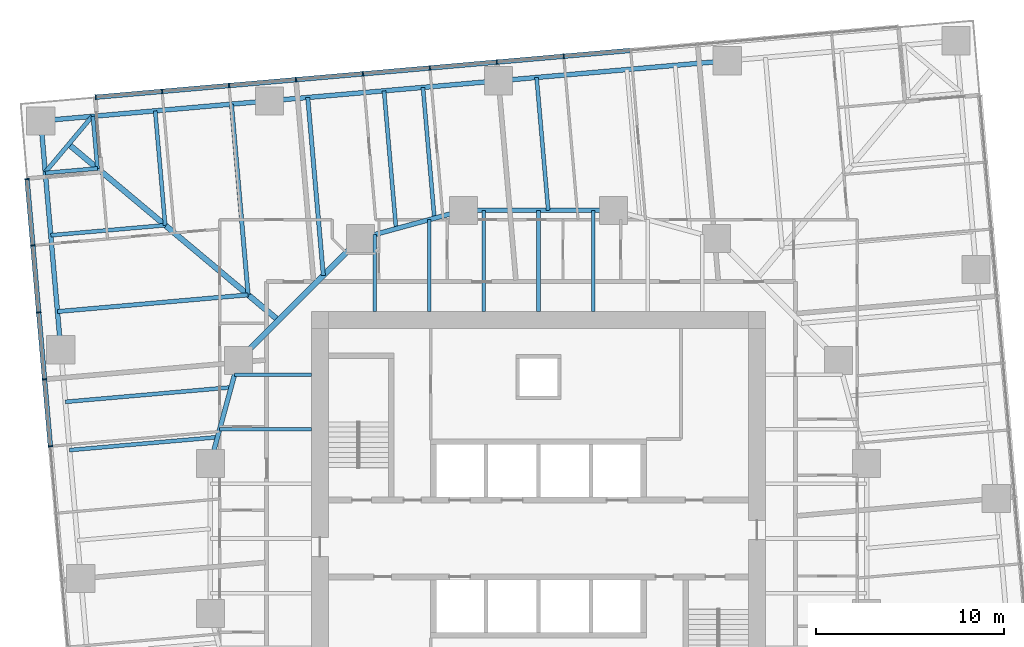
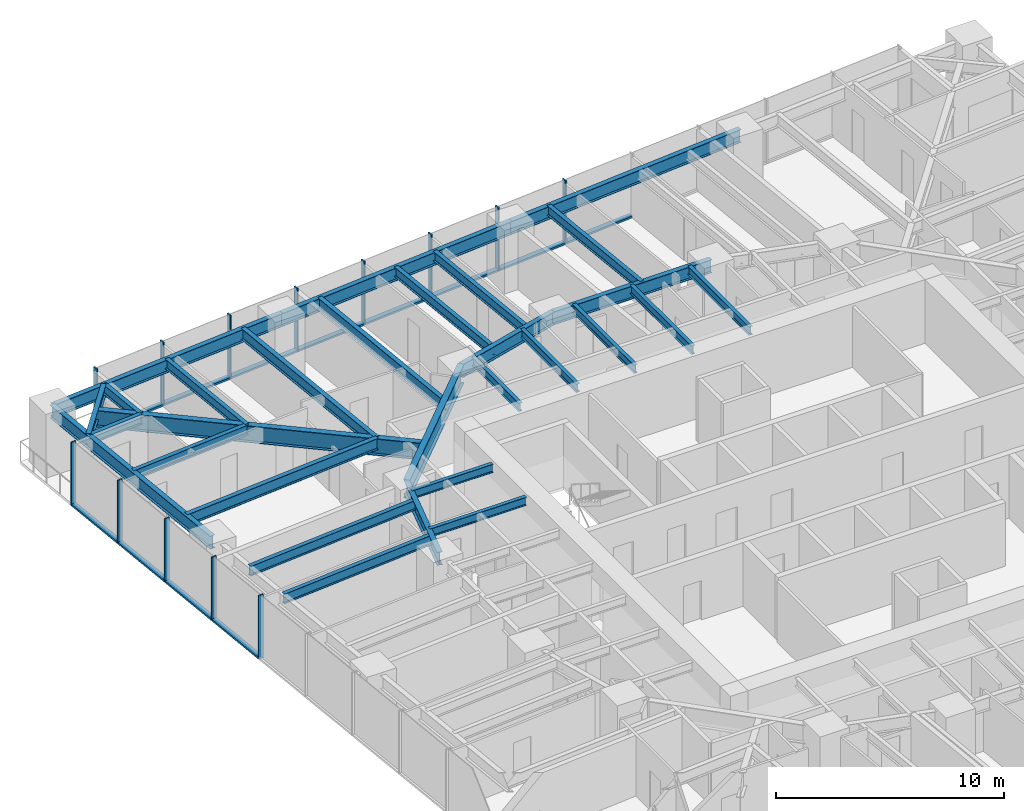
# One storey, part 5 of 14: 29 beams, 25 members, 2 elements without a shape of their own.
"""IFC4 building model written with IfcOpenShell, lengths in metres."""

import ifcopenshell
import ifcopenshell.guid

model = None  # the IFC model being written
_history = None  # IfcOwnerHistory: only IFC2X3 demands one
_inside = {}  # id of a spatial element -> (the spatial element, [elements in it])
_under = {}  # id of a project, library or spatial element -> (it, [spatial elements below it])
_declared = {}  # id of a project -> (the project, [libraries it declares])
_typed = {}  # id of a type object -> (the type object, [elements of that type])
_made_of = {}  # id of a material, layer set ... -> (it, [elements and type objects made of it])


def new_model(schema):
    """Start an empty IFC model of exactly this schema.

    Asked for "IFC4X3", IfcOpenShell would pick the latest addendum, in which some entities
    have other attributes; the version numbers below select the first issue.
    IFC2X3 requires an IfcOwnerHistory on every rooted entity: one is made here for all.
    """
    global model, _history
    if schema == "IFC4X3":
        model = ifcopenshell.file(schema_version=(4, 3, 0, 0))
    else:
        model = ifcopenshell.file(schema=schema)
    _inside.clear()
    _under.clear()
    _declared.clear()
    _typed.clear()
    _made_of.clear()
    _history = None
    if model.schema == "IFC2X3":
        org = make("IfcOrganization", Name="unknown")
        user = make(
            "IfcPersonAndOrganization",
            ThePerson=make("IfcPerson", FamilyName="unknown"),
            TheOrganization=org,
        )
        app = make(
            "IfcApplication",
            ApplicationDeveloper=org,
            Version="unknown",
            ApplicationFullName="unknown",
            ApplicationIdentifier="unknown",
        )
        _history = make(
            "IfcOwnerHistory",
            OwningUser=user,
            OwningApplication=app,
            ChangeAction="ADDED",
            CreationDate=0,
        )
    return model


def make(cls, **values):
    """One entity of the class cls with the attributes given. An attribute that is None is left unset."""
    return model.create_entity(
        cls, **{name: value for name, value in values.items() if value is not None}
    )


def rooted(cls, **values):
    """An entity with a GlobalId (a new one), such as an element, a storey or a relation."""
    return make(cls, GlobalId=ifcopenshell.guid.new(), OwnerHistory=_history, **values)


def si_unit(unit_type, name, prefix=None):
    """IfcSIUnit, for example si_unit("LENGTHUNIT", "METRE", prefix="MILLI")."""
    return make("IfcSIUnit", UnitType=unit_type, Prefix=prefix, Name=name)


def assignment(units):
    """IfcUnitAssignment: the units of a project."""
    return None if units is None else make("IfcUnitAssignment", Units=units)


def point(xyz):
    """IfcCartesianPoint."""
    return None if xyz is None else make("IfcCartesianPoint", Coordinates=xyz)


def direction(xyz):
    """IfcDirection."""
    return None if xyz is None else make("IfcDirection", DirectionRatios=xyz)


def frame(location, z_axis=None, x_axis=None):
    """IfcAxis2Placement3D, a coordinate frame: its origin and axes. An axis left out is left unset."""
    return make(
        "IfcAxis2Placement3D",
        Location=point(location),
        Axis=direction(z_axis),
        RefDirection=direction(x_axis),
    )


def frame_2d(location, x_axis=None):
    """IfcAxis2Placement2D, a coordinate frame in the plane: its origin and x axis."""
    return make(
        "IfcAxis2Placement2D", Location=point(location), RefDirection=direction(x_axis)
    )


def origin():
    """The frame at (0, 0, 0) with its axes left unset."""
    return frame((0.0, 0.0, 0.0))


def origin_2d():
    """The frame at (0, 0) in the plane with its x axis left unset."""
    return frame_2d((0.0, 0.0))


def place(relative_to, where):
    """IfcLocalPlacement: puts the frame where relative to a parent placement (None: the world)."""
    return make(
        "IfcLocalPlacement", PlacementRelTo=relative_to, RelativePlacement=where
    )


def context(
    kind, dimensions, precision=None, world=None, true_north=None, identifier=None
):
    """IfcGeometricRepresentationContext, for example the 3D "Model" context."""
    return make(
        "IfcGeometricRepresentationContext",
        ContextIdentifier=identifier,
        ContextType=kind,
        CoordinateSpaceDimension=dimensions,
        Precision=precision,
        WorldCoordinateSystem=world,
        TrueNorth=true_north,
    )


def subcontext(parent, identifier, kind, view, scale=None):
    """IfcGeometricRepresentationSubContext, for example "Body" below "Model"."""
    return make(
        "IfcGeometricRepresentationSubContext",
        ContextIdentifier=identifier,
        ContextType=kind,
        ParentContext=parent,
        TargetScale=scale,
        TargetView=view,
    )


def project(units=None, contexts=None):
    """IfcProject with its units and contexts."""
    return rooted(
        "IfcProject",
        Name="project",
        RepresentationContexts=contexts,
        UnitsInContext=assignment(units),
    )


def spatial(cls, under=None, at=None, **own):
    """A site, building, storey or space (cls), placed at a placement, below another one or the project."""
    s = rooted(cls, ObjectPlacement=at, **own)
    if under is not None:
        _under.setdefault(under.id(), (under, []))[1].append(s)
    return s


def profile(cls, at=None, kind="AREA", **sizes):
    """A parametric profile (cls). Its sizes go by their IFC names, for example OverallWidth=200.0."""
    return make(cls, ProfileType=kind, Position=at, **sizes)


def rectangle(**sizes):
    """IfcRectangleProfileDef."""
    return profile("IfcRectangleProfileDef", **sizes)


def i_section(**sizes):
    """IfcIShapeProfileDef."""
    return profile("IfcIShapeProfileDef", **sizes)


def extrude(swept, where, along, depth):
    """IfcExtrudedAreaSolid: the profile swept, set in the frame where, extruded along a direction by depth."""
    return make(
        "IfcExtrudedAreaSolid",
        SweptArea=swept,
        Position=where,
        ExtrudedDirection=direction(along),
        Depth=depth,
    )


def shape(context_of_items, identifier, shape_type, items):
    """IfcShapeRepresentation: the items that make up one representation, for example the "Body"."""
    return make(
        "IfcShapeRepresentation",
        ContextOfItems=context_of_items,
        RepresentationIdentifier=identifier,
        RepresentationType=shape_type,
        Items=items,
    )


def material(Name=None, Category=None):
    """IfcMaterial."""
    return make("IfcMaterial", Name=Name, Category=Category)


def material_profile(
    of_material, cross_section, Name=None, Category=None, Priority=None
):
    """IfcMaterialProfile: a cross section and its material."""
    return make(
        "IfcMaterialProfile",
        Name=Name,
        Material=of_material,
        Profile=cross_section,
        Priority=Priority,
        Category=Category,
    )


def profile_set(profiles, Name=None, composite=None):
    """IfcMaterialProfileSet."""
    return make(
        "IfcMaterialProfileSet",
        Name=Name,
        MaterialProfiles=profiles,
        CompositeProfile=composite,
    )


def made_of(thing, what):
    """Note that an element or type object is made of a material, layer set ...; save() writes the relation."""
    if what is not None:
        _made_of.setdefault(what.id(), (what, []))[1].append(thing)
    return thing


def type_object(cls, material=None, **own):
    """A type object (cls), such as IfcWallType, which elements share."""
    return made_of(rooted(cls, **own), material)


def element(
    cls,
    number,
    at=None,
    inside=None,
    cuts=None,
    type_object=None,
    material=None,
    context=None,
    identifier="Body",
    shape_type=None,
    held_by="IfcProductDefinitionShape",
    body=None,
    shapes=None,
    **own,
):
    """One element of the class cls, such as IfcWall. Its Tag is "e" and its number.

    at: its placement. inside: the storey or other place that contains it. cuts: it is an
    opening in that element (IfcRelVoidsElement). A single representation is given by context,
    identifier, shape_type and body (its items); several are given by shapes. held_by: the class
    of the entity that holds the representations. save() writes the other relations.
    """
    e = rooted(cls, Tag="e%d" % number, ObjectPlacement=at, **own)
    if body is not None:
        shapes = [shape(context, identifier, shape_type, body)]
    if shapes is not None:
        e.Representation = make(held_by, Representations=shapes)
    if inside is not None:
        _inside.setdefault(inside.id(), (inside, []))[1].append(e)
    if cuts is not None:
        rooted(
            "IfcRelVoidsElement", RelatingBuildingElement=cuts, RelatedOpeningElement=e
        )
    if type_object is not None:
        _typed.setdefault(type_object.id(), (type_object, []))[1].append(e)
    return made_of(e, material)


def aggregate(whole, parts):
    """IfcRelAggregates: a whole, such as a stair, and the parts it consists of."""
    return rooted("IfcRelAggregates", RelatingObject=whole, RelatedObjects=parts)


def save(model, path):
    """Write the relations noted so far, then the file.

    IfcRelAggregates (storeys below a building ...), IfcRelContainedInSpatialStructure (elements
    in a storey), IfcRelDefinesByType, IfcRelAssociatesMaterial and IfcRelDeclares: one each for
    every whole, place, type object, material and project.
    """
    for whole, parts in _under.values():
        aggregate(whole, parts)
    for where, things in _inside.values():
        rooted(
            "IfcRelContainedInSpatialStructure",
            RelatedElements=things,
            RelatingStructure=where,
        )
    for kind, things in _typed.values():
        rooted("IfcRelDefinesByType", RelatedObjects=things, RelatingType=kind)
    for what, things in _made_of.values():
        rooted("IfcRelAssociatesMaterial", RelatedObjects=things, RelatingMaterial=what)
    for by, libraries in _declared.values():
        rooted("IfcRelDeclares", RelatingContext=by, RelatedDefinitions=libraries)
    model.write(path)


model = new_model("IFC4")

# Units and contexts
model_context = context("Model", 3, precision=1e-05, world=origin(), true_north=direction((0.0, 1.0)))
body_context = subcontext(model_context, "Body", "Model", "MODEL_VIEW")
ifc_project = project(units=[si_unit("LENGTHUNIT", "METRE"), si_unit("AREAUNIT", "SQUARE_METRE"), si_unit("VOLUMEUNIT", "CUBIC_METRE"), si_unit("PLANEANGLEUNIT", "RADIAN"), si_unit("MASSUNIT", "GRAM", prefix="KILO")], contexts=[model_context])

# Site, building, storey
site_placement = place(None, origin())
site = spatial("IfcSite", under=ifc_project, at=site_placement, CompositionType="ELEMENT")
building_placement = place(site_placement, origin())
building = spatial("IfcBuilding", under=site, at=building_placement, Name="Torsade Residences", CompositionType="ELEMENT")
storey_placement = place(building_placement, frame((0.0, 0.0, 50.60009765625)))
storey = spatial("IfcBuildingStorey", under=building, at=storey_placement, Name="L13", CompositionType="ELEMENT", Elevation=50.60009765625)

# Beams
ifc_material_1 = material(Name="Steel grade 300", Category="steel")
ifc_material_profile_1 = material_profile(ifc_material_1, i_section(OverallWidth=0.300048828125, OverallDepth=0.89990234375, WebThickness=0.011962890625, FlangeThickness=0.02490234375, at=origin_2d()), Name="900WB175")
ifc_profile_set_1 = profile_set([ifc_material_profile_1], Name="Steel grade 300")
beam_type_1 = type_object("IfcBeamType", Name="CORNER GIRDER 900WB175", PredefinedType="BEAM", material=ifc_profile_set_1)
beam_1_placement = place(storey_placement, frame((14.947509765625, 51.021484375, 2.7998046875), z_axis=(0.766046281307, -0.642785419012, 0.0), x_axis=(0.642785419012, 0.766046281307, 0.0)))
element("IfcBeam", 1, at=beam_1_placement, inside=storey, type_object=beam_type_1, Name="Corner girder 13 L14", PredefinedType="BEAM", context=body_context, shape_type="SweptSolid", body=[
    extrude(i_section(OverallWidth=0.300048828125, OverallDepth=0.89990234375, WebThickness=0.011962890625, FlangeThickness=0.02490234375, at=origin_2d()), origin(), (0.0, 0.0, 1.0), 14.603515625),
])
ifc_material_2 = material(Name="Steel grade 300", Category="steel")
ifc_material_profile_2 = material_profile(ifc_material_2, i_section(OverallWidth=0.22802734375, OverallDepth=0.60205078125, WebThickness=0.010498046875, FlangeThickness=0.014892578125, FilletRadius=0.013916015625, at=origin_2d()), Name="610UB101")
ifc_profile_set_2 = profile_set([ifc_material_profile_2], Name="Steel grade 300")
beam_type_2 = type_object("IfcBeamType", Name="CORNER TRIMMER 610UB101", PredefinedType="BEAM", material=ifc_profile_set_2)
beam_2_placement = place(storey_placement, frame((13.697509765625, 49.531982421875, 2.948974609375), z_axis=(0.642804819911, 0.766030001697, 0.0), x_axis=(-0.766030001697, 0.642804819911, 0.0)))
element("IfcBeam", 2, at=beam_2_placement, inside=storey, type_object=beam_type_2, Name="Corner trimmer 13 L14", PredefinedType="BEAM", context=body_context, shape_type="SweptSolid", body=[
    extrude(i_section(OverallWidth=0.22802734375, OverallDepth=0.60205078125, WebThickness=0.010498046875, FlangeThickness=0.014892578125, FilletRadius=0.013916015625, at=origin_2d()), origin(), (0.0, 0.0, 1.0), 3.88916015625),
])

# Curtain wall, members
ifc_material_3 = material(Name="Aluminium and glass", Category="aluminium")
curtain_wall_type = type_object("IfcCurtainWallType", Name="FRITTED GLASS CURTAIN WALL LOW ZONE", PredefinedType="NOTDEFINED", material=ifc_material_3)
curtain_wall_1_placement = place(storey_placement, origin())
curtain_wall_1 = element("IfcCurtainWall", 3, at=curtain_wall_1_placement, inside=storey, type_object=curtain_wall_type, Name="Curtain wall L13 face 7", PredefinedType="NOTDEFINED")
ifc_material_4 = material(Name="Aluminium mullion", Category="aluminium")
ifc_material_profile_3 = material_profile(ifc_material_4, rectangle(XDim=0.25, YDim=0.06494140625, at=origin_2d()), Name="CURTAIN WALL MULLION 250x65")
ifc_profile_set_3 = profile_set([ifc_material_profile_3], Name="Aluminium mullion")
member_type_1 = type_object("IfcMemberType", Name="CURTAIN WALL MULLION 250x65", PredefinedType="MULLION", material=ifc_profile_set_3)
member_1_placement = place(storey_placement, frame((41.34716796875, 55.71533203125, 0.0), z_axis=(0.0, 0.0, 1.0), x_axis=(0.087155744208, -0.996194697964, 0.0)))
member_1 = element("IfcMember", 4, at=member_1_placement, type_object=member_type_1, Name="Mullion 6", PredefinedType="MULLION", context=body_context, shape_type="SweptSolid", body=[
    extrude(rectangle(XDim=0.25, YDim=0.06494140625, at=origin_2d()), origin(), (0.0, 0.0, 1.0), 3.39990234375),
])
member_2_placement = place(storey_placement, frame((37.777587890625, 55.403076171875, 0.0), z_axis=(0.0, 0.0, 1.0), x_axis=(0.087155744208, -0.996194697964, 0.0)))
member_2 = element("IfcMember", 5, at=member_2_placement, type_object=member_type_1, Name="Mullion 7", PredefinedType="MULLION", context=body_context, shape_type="SweptSolid", body=[
    extrude(rectangle(XDim=0.25, YDim=0.06494140625, at=origin_2d()), origin(), (0.0, 0.0, 1.0), 3.39990234375),
])
member_3_placement = place(storey_placement, frame((34.207763671875, 55.090576171875, 0.0), z_axis=(0.0, 0.0, 1.0), x_axis=(0.087155744208, -0.996194697964, 0.0)))
member_3 = element("IfcMember", 6, at=member_3_placement, type_object=member_type_1, Name="Mullion 8", PredefinedType="MULLION", context=body_context, shape_type="SweptSolid", body=[
    extrude(rectangle(XDim=0.25, YDim=0.06494140625, at=origin_2d()), origin(), (0.0, 0.0, 1.0), 3.39990234375),
])
member_4_placement = place(storey_placement, frame((30.63818359375, 54.7783203125, 0.0), z_axis=(0.0, 0.0, 1.0), x_axis=(0.087155744208, -0.996194697964, 0.0)))
member_4 = element("IfcMember", 7, at=member_4_placement, type_object=member_type_1, Name="Mullion 9", PredefinedType="MULLION", context=body_context, shape_type="SweptSolid", body=[
    extrude(rectangle(XDim=0.25, YDim=0.06494140625, at=origin_2d()), origin(), (0.0, 0.0, 1.0), 3.39990234375),
])
member_5_placement = place(storey_placement, frame((27.068359375, 54.466064453125, 0.0), z_axis=(0.0, 0.0, 1.0), x_axis=(0.087155744208, -0.996194697964, 0.0)))
member_5 = element("IfcMember", 8, at=member_5_placement, type_object=member_type_1, Name="Mullion 10", PredefinedType="MULLION", context=body_context, shape_type="SweptSolid", body=[
    extrude(rectangle(XDim=0.25, YDim=0.06494140625, at=origin_2d()), origin(), (0.0, 0.0, 1.0), 3.39990234375),
])
member_6_placement = place(storey_placement, frame((23.498779296875, 54.15380859375, 0.0), z_axis=(0.0, 0.0, 1.0), x_axis=(0.087155744208, -0.996194697964, 0.0)))
member_6 = element("IfcMember", 9, at=member_6_placement, type_object=member_type_1, Name="Mullion 11", PredefinedType="MULLION", context=body_context, shape_type="SweptSolid", body=[
    extrude(rectangle(XDim=0.25, YDim=0.06494140625, at=origin_2d()), origin(), (0.0, 0.0, 1.0), 3.39990234375),
])
member_7_placement = place(storey_placement, frame((19.928955078125, 53.84130859375, 0.0), z_axis=(0.0, 0.0, 1.0), x_axis=(0.087155744208, -0.996194697964, 0.0)))
member_7 = element("IfcMember", 10, at=member_7_placement, type_object=member_type_1, Name="Mullion 12", PredefinedType="MULLION", context=body_context, shape_type="SweptSolid", body=[
    extrude(rectangle(XDim=0.25, YDim=0.06494140625, at=origin_2d()), origin(), (0.0, 0.0, 1.0), 3.39990234375),
])
member_8_placement = place(storey_placement, frame((16.3916015625, 53.531982421875, 0.0), z_axis=(0.0, 0.0, 1.0), x_axis=(0.087155744208, -0.996194697964, 0.0)))
member_8 = element("IfcMember", 11, at=member_8_placement, type_object=member_type_1, Name="Mullion 13", PredefinedType="MULLION", context=body_context, shape_type="SweptSolid", body=[
    extrude(rectangle(XDim=0.25, YDim=0.06494140625, at=origin_2d()), origin(), (0.0, 0.0, 1.0), 3.39990234375),
])

curtain_wall_2_placement = place(storey_placement, origin())
curtain_wall_2 = element("IfcCurtainWall", 12, at=curtain_wall_2_placement, inside=storey, type_object=curtain_wall_type, Name="Curtain wall L13 face 10", PredefinedType="NOTDEFINED")
member_9_placement = place(storey_placement, frame((12.72607421875, 49.163330078125, 0.0), z_axis=(0.0, 0.0, 1.0), x_axis=(0.996194697964, 0.087155744208, 0.0)))
member_9 = element("IfcMember", 13, at=member_9_placement, type_object=member_type_1, Name="Mullion 1", PredefinedType="MULLION", context=body_context, shape_type="SweptSolid", body=[
    extrude(rectangle(XDim=0.25, YDim=0.06494140625, at=origin_2d()), origin(), (0.0, 0.0, 1.0), 3.39990234375),
])
member_10_placement = place(storey_placement, frame((13.035400390625, 45.6259765625, 0.0), z_axis=(0.0, 0.0, 1.0), x_axis=(0.996194697964, 0.087155744208, 0.0)))
member_10 = element("IfcMember", 14, at=member_10_placement, type_object=member_type_1, Name="Mullion 2", PredefinedType="MULLION", context=body_context, shape_type="SweptSolid", body=[
    extrude(rectangle(XDim=0.25, YDim=0.06494140625, at=origin_2d()), origin(), (0.0, 0.0, 1.0), 3.39990234375),
])
member_11_placement = place(storey_placement, frame((13.347900390625, 42.056396484375, 0.0), z_axis=(0.0, 0.0, 1.0), x_axis=(0.996194697964, 0.087155744208, 0.0)))
member_11 = element("IfcMember", 15, at=member_11_placement, type_object=member_type_1, Name="Mullion 3", PredefinedType="MULLION", context=body_context, shape_type="SweptSolid", body=[
    extrude(rectangle(XDim=0.25, YDim=0.06494140625, at=origin_2d()), origin(), (0.0, 0.0, 1.0), 3.39990234375),
])
member_12_placement = place(storey_placement, frame((13.66015625, 38.486572265625, 0.0), z_axis=(0.0, 0.0, 1.0), x_axis=(0.996194697964, 0.087155744208, 0.0)))
member_12 = element("IfcMember", 16, at=member_12_placement, type_object=member_type_1, Name="Mullion 4", PredefinedType="MULLION", context=body_context, shape_type="SweptSolid", body=[
    extrude(rectangle(XDim=0.25, YDim=0.06494140625, at=origin_2d()), origin(), (0.0, 0.0, 1.0), 3.39990234375),
])
member_13_placement = place(storey_placement, frame((13.972412109375, 34.9169921875, 0.0), z_axis=(0.0, 0.0, 1.0), x_axis=(0.996194697964, 0.087155744208, 0.0)))
member_13 = element("IfcMember", 17, at=member_13_placement, type_object=member_type_1, Name="Mullion 5", PredefinedType="MULLION", context=body_context, shape_type="SweptSolid", body=[
    extrude(rectangle(XDim=0.25, YDim=0.06494140625, at=origin_2d()), origin(), (0.0, 0.0, 1.0), 3.39990234375),
])

# Member
ifc_material_5 = material(Name="Aluminium transom", Category="aluminium")
ifc_material_profile_4 = material_profile(ifc_material_5, rectangle(XDim=0.25, YDim=0.10009765625, at=origin_2d()), Name="CURTAIN WALL TRANSOM 250x100")
ifc_profile_set_4 = profile_set([ifc_material_profile_4], Name="Aluminium transom")
member_type_2 = type_object("IfcMemberType", Name="CURTAIN WALL TRANSOM 250x100", PredefinedType="USERDEFINED", material=ifc_profile_set_4)
member_14_placement = place(storey_placement, frame((44.884521484375, 56.024658203125, 0.0498046875), z_axis=(-0.996194621295, -0.087156620531, 0.0), x_axis=(0.087156620531, -0.996194621295, 0.0)))
member_14 = element("IfcMember", 18, at=member_14_placement, type_object=member_type_2, Name="Transom 5.1", ObjectType="TRANSOM", PredefinedType="USERDEFINED", context=body_context, shape_type="SweptSolid", body=[
    extrude(rectangle(XDim=0.25, YDim=0.10009765625, at=origin_2d()), origin(), (0.0, 0.0, 1.0), 3.518310546875),
])

member_15_placement = place(storey_placement, frame((41.31494140625, 55.71240234375, 0.0498046875), z_axis=(-0.996195148363, -0.08715059597, 0.0), x_axis=(0.08715059597, -0.996195148363, 0.0)))
member_15 = element("IfcMember", 19, at=member_15_placement, type_object=member_type_2, Name="Transom 6.1", ObjectType="TRANSOM", PredefinedType="USERDEFINED", context=body_context, shape_type="SweptSolid", body=[
    extrude(rectangle(XDim=0.25, YDim=0.10009765625, at=origin_2d()), origin(), (0.0, 0.0, 1.0), 3.5185546875),
])

member_16_placement = place(storey_placement, frame((37.7451171875, 55.400146484375, 0.0498046875), z_axis=(-0.996194621295, -0.087156620531, 0.0), x_axis=(0.087156620531, -0.996194621295, 0.0)))
member_16 = element("IfcMember", 20, at=member_16_placement, type_object=member_type_2, Name="Transom 7.1", ObjectType="TRANSOM", PredefinedType="USERDEFINED", context=body_context, shape_type="SweptSolid", body=[
    extrude(rectangle(XDim=0.25, YDim=0.10009765625, at=origin_2d()), origin(), (0.0, 0.0, 1.0), 3.518310546875),
])

member_17_placement = place(storey_placement, frame((34.175537109375, 55.087890625, 0.0498046875), z_axis=(-0.996195148363, -0.08715059597, 0.0), x_axis=(0.08715059597, -0.996195148363, 0.0)))
member_17 = element("IfcMember", 21, at=member_17_placement, type_object=member_type_2, Name="Transom 8.1", ObjectType="TRANSOM", PredefinedType="USERDEFINED", context=body_context, shape_type="SweptSolid", body=[
    extrude(rectangle(XDim=0.25, YDim=0.10009765625, at=origin_2d()), origin(), (0.0, 0.0, 1.0), 3.5185546875),
])

member_18_placement = place(storey_placement, frame((30.605712890625, 54.775634765625, 0.0498046875), z_axis=(-0.996194621295, -0.087156620531, 0.0), x_axis=(0.087156620531, -0.996194621295, 0.0)))
member_18 = element("IfcMember", 22, at=member_18_placement, type_object=member_type_2, Name="Transom 9.1", ObjectType="TRANSOM", PredefinedType="USERDEFINED", context=body_context, shape_type="SweptSolid", body=[
    extrude(rectangle(XDim=0.25, YDim=0.10009765625, at=origin_2d()), origin(), (0.0, 0.0, 1.0), 3.518310546875),
])

member_19_placement = place(storey_placement, frame((27.0361328125, 54.463134765625, 0.0498046875), z_axis=(-0.996195148363, -0.08715059597, 0.0), x_axis=(0.08715059597, -0.996195148363, 0.0)))
member_19 = element("IfcMember", 23, at=member_19_placement, type_object=member_type_2, Name="Transom 10.1", ObjectType="TRANSOM", PredefinedType="USERDEFINED", context=body_context, shape_type="SweptSolid", body=[
    extrude(rectangle(XDim=0.25, YDim=0.10009765625, at=origin_2d()), origin(), (0.0, 0.0, 1.0), 3.5185546875),
])

member_20_placement = place(storey_placement, frame((23.46630859375, 54.15087890625, 0.0498046875), z_axis=(-0.996194621295, -0.087156620531, 0.0), x_axis=(0.087156620531, -0.996194621295, 0.0)))
member_20 = element("IfcMember", 24, at=member_20_placement, type_object=member_type_2, Name="Transom 11.1", ObjectType="TRANSOM", PredefinedType="USERDEFINED", context=body_context, shape_type="SweptSolid", body=[
    extrude(rectangle(XDim=0.25, YDim=0.10009765625, at=origin_2d()), origin(), (0.0, 0.0, 1.0), 3.518310546875),
])

member_21_placement = place(storey_placement, frame((19.896728515625, 53.838623046875, 0.0498046875), z_axis=(-0.996191284475, -0.08719475177, 0.0), x_axis=(0.08719475177, -0.996191284475, 0.0)))
member_21 = element("IfcMember", 25, at=member_21_placement, type_object=member_type_2, Name="Transom 12.1", ObjectType="TRANSOM", PredefinedType="USERDEFINED", context=body_context, shape_type="SweptSolid", body=[
    extrude(rectangle(XDim=0.25, YDim=0.10009765625, at=origin_2d()), origin(), (0.0, 0.0, 1.0), 3.48583984375),
])

aggregate(curtain_wall_1, [member_1, member_2, member_3, member_4, member_5, member_6, member_7, member_8, member_14, member_15, member_16, member_17, member_18, member_19, member_20, member_21])

member_22_placement = place(storey_placement, frame((12.728759765625, 49.130859375, 0.0498046875), z_axis=(0.0872008357, -0.996190751941, 0.0), x_axis=(0.996190751941, 0.0872008357, 0.0)))
member_22 = element("IfcMember", 26, at=member_22_placement, type_object=member_type_2, Name="Transom 1.1", ObjectType="TRANSOM", PredefinedType="USERDEFINED", context=body_context, shape_type="SweptSolid", body=[
    extrude(rectangle(XDim=0.25, YDim=0.10009765625, at=origin_2d()), origin(), (0.0, 0.0, 1.0), 3.485595703125),
])

member_23_placement = place(storey_placement, frame((13.038330078125, 45.59375, 0.0498046875), z_axis=(0.08715059597, -0.996195148363, 0.0), x_axis=(0.996195148363, 0.08715059597, 0.0)))
member_23 = element("IfcMember", 27, at=member_23_placement, type_object=member_type_2, Name="Transom 2.1", ObjectType="TRANSOM", PredefinedType="USERDEFINED", context=body_context, shape_type="SweptSolid", body=[
    extrude(rectangle(XDim=0.25, YDim=0.10009765625, at=origin_2d()), origin(), (0.0, 0.0, 1.0), 3.5185546875),
])

member_24_placement = place(storey_placement, frame((13.3505859375, 42.02392578125, 0.0498046875), z_axis=(0.087156620531, -0.996194621295, 0.0), x_axis=(0.996194621295, 0.087156620531, 0.0)))
member_24 = element("IfcMember", 28, at=member_24_placement, type_object=member_type_2, Name="Transom 3.1", ObjectType="TRANSOM", PredefinedType="USERDEFINED", context=body_context, shape_type="SweptSolid", body=[
    extrude(rectangle(XDim=0.25, YDim=0.10009765625, at=origin_2d()), origin(), (0.0, 0.0, 1.0), 3.518310546875),
])

member_25_placement = place(storey_placement, frame((13.662841796875, 38.454345703125, 0.0498046875), z_axis=(0.08715059597, -0.996195148363, 0.0), x_axis=(0.996195148363, 0.08715059597, 0.0)))
member_25 = element("IfcMember", 29, at=member_25_placement, type_object=member_type_2, Name="Transom 4.1", ObjectType="TRANSOM", PredefinedType="USERDEFINED", context=body_context, shape_type="SweptSolid", body=[
    extrude(rectangle(XDim=0.25, YDim=0.10009765625, at=origin_2d()), origin(), (0.0, 0.0, 1.0), 3.5185546875),
])

aggregate(curtain_wall_2, [member_9, member_10, member_11, member_12, member_13, member_22, member_23, member_24, member_25])

# Beams
ifc_material_6 = material(Name="Steel grade 300", Category="steel")
ifc_material_profile_5 = material_profile(ifc_material_6, i_section(OverallWidth=0.25, OverallDepth=0.699951171875, WebThickness=0.010009765625, FlangeThickness=0.02001953125, at=origin_2d()), Name="700WB130")
ifc_profile_set_5 = profile_set([ifc_material_profile_5], Name="Steel grade 300")
beam_type_3 = type_object("IfcBeamType", Name="EDGE BEAM 700WB130", PredefinedType="SPANDREL", material=ifc_profile_set_5)
for number, where, z_axis, x_axis, name in (
    (30, (50.068115234375, 55.474365234375, 2.89990234375), (-0.996194907201, -0.08715335259, 0.0), (0.08715335259, -0.996194907201, 0.0), "Edge beam 10 L14"),
    (31, (37.86474609375, 54.40673828125, 2.89990234375), (-0.996194907201, -0.08715335259, 0.0), (0.08715335259, -0.996194907201, 0.0), "Edge beam 11 L14"),
    (32, (25.661376953125, 53.339111328125, 2.89990234375), (-0.996194907201, -0.08715335259, 0.0), (0.08715335259, -0.996194907201, 0.0), "Edge beam 12 L14"),
    (33, (13.4580078125, 52.271484375, 2.89990234375), (0.08715335259, -0.996194907201, 0.0), (0.996194907201, 0.08715335259, 0.0), "Edge beam 13 L14"),
):
    element("IfcBeam", number, at=place(storey_placement, frame(where, z_axis=z_axis, x_axis=x_axis)), inside=storey, type_object=beam_type_3, Name=name, PredefinedType="SPANDREL", context=body_context, shape_type="SweptSolid", body=[
        extrude(i_section(OverallWidth=0.25, OverallDepth=0.699951171875, WebThickness=0.010009765625, FlangeThickness=0.02001953125, at=origin_2d()), origin(), (0.0, 0.0, 1.0), 12.25),
    ])
ifc_material_7 = material(Name="Steel grade 300", Category="steel")
ifc_material_profile_6 = material_profile(ifc_material_7, i_section(OverallWidth=0.18994140625, OverallDepth=0.4541015625, WebThickness=0.008544921875, FlangeThickness=0.0126953125, FilletRadius=0.011474609375, at=origin_2d()), Name="460UB67.1")
ifc_profile_set_6 = profile_set([ifc_material_profile_6], Name="Steel grade 300")
beam_type_4 = type_object("IfcBeamType", Name="INNER FLOOR BEAM 460UB67.1", PredefinedType="JOIST", material=ifc_profile_set_6)
beam_3_placement = place(storey_placement, frame((31.262451171875, 42.10009765625, 3.02294921875), z_axis=(0.0, 1.0, 0.0), x_axis=(-1.0, 0.0, 0.0)))
element("IfcBeam", 34, at=beam_3_placement, inside=storey, type_object=beam_type_4, Name="Inner floor beam IN01 L14", PredefinedType="JOIST", context=body_context, shape_type="SweptSolid", body=[
    extrude(i_section(OverallWidth=0.18994140625, OverallDepth=0.4541015625, WebThickness=0.008544921875, FlangeThickness=0.0126953125, FilletRadius=0.011474609375, at=origin_2d()), origin(), (0.0, 0.0, 1.0), 4.10791015625),
])
beam_4_placement = place(storey_placement, frame((34.175048828125, 42.10009765625, 3.02294921875), z_axis=(0.0, 1.0, 0.0), x_axis=(-1.0, 0.0, 0.0)))
element("IfcBeam", 35, at=beam_4_placement, inside=storey, type_object=beam_type_4, Name="Inner floor beam IN02 L14", PredefinedType="JOIST", context=body_context, shape_type="SweptSolid", body=[
    extrude(i_section(OverallWidth=0.18994140625, OverallDepth=0.4541015625, WebThickness=0.008544921875, FlangeThickness=0.0126953125, FilletRadius=0.011474609375, at=origin_2d()), origin(), (0.0, 0.0, 1.0), 4.902099609375),
])
for number, where, z_axis, x_axis, name in (
    (36, (37.08740234375, 42.10009765625, 3.02294921875), (0.0, 1.0, 0.0), (-1.0, 0.0, 0.0), "Inner floor beam IN03 L14"),
    (37, (40.0, 42.10009765625, 3.02294921875), (0.0, 1.0, 0.0), (-1.0, 0.0, 0.0), "Inner floor beam IN04 L14"),
    (38, (42.91259765625, 42.10009765625, 3.02294921875), (0.0, 1.0, 0.0), (-1.0, 0.0, 0.0), "Inner floor beam IN05 L14"),
):
    element("IfcBeam", number, at=place(storey_placement, frame(where, z_axis=z_axis, x_axis=x_axis)), inside=storey, type_object=beam_type_4, Name=name, PredefinedType="JOIST", context=body_context, shape_type="SweptSolid", body=[
        extrude(i_section(OverallWidth=0.18994140625, OverallDepth=0.4541015625, WebThickness=0.008544921875, FlangeThickness=0.0126953125, FilletRadius=0.011474609375, at=origin_2d()), origin(), (0.0, 0.0, 1.0), 5.39990234375),
    ])
beam_5_placement = place(storey_placement, frame((27.89990234375, 38.737548828125, 3.02294921875), z_axis=(-1.0, 0.0, 0.0), x_axis=(0.0, -1.0, 0.0)))
element("IfcBeam", 39, at=beam_5_placement, inside=storey, type_object=beam_type_4, Name="Inner floor beam IW01 L14", PredefinedType="JOIST", context=body_context, shape_type="SweptSolid", body=[
    extrude(i_section(OverallWidth=0.18994140625, OverallDepth=0.4541015625, WebThickness=0.008544921875, FlangeThickness=0.0126953125, FilletRadius=0.011474609375, at=origin_2d()), origin(), (0.0, 0.0, 1.0), 4.10791015625),
])
beam_6_placement = place(storey_placement, frame((27.89990234375, 35.824951171875, 3.02294921875), z_axis=(-1.0, 0.0, 0.0), x_axis=(0.0, -1.0, 0.0)))
element("IfcBeam", 40, at=beam_6_placement, inside=storey, type_object=beam_type_4, Name="Inner floor beam IW02 L14", PredefinedType="JOIST", context=body_context, shape_type="SweptSolid", body=[
    extrude(i_section(OverallWidth=0.18994140625, OverallDepth=0.4541015625, WebThickness=0.008544921875, FlangeThickness=0.0126953125, FilletRadius=0.011474609375, at=origin_2d()), origin(), (0.0, 0.0, 1.0), 4.902099609375),
])
ifc_material_8 = material(Name="Steel grade 300", Category="steel")
ifc_material_profile_7 = material_profile(ifc_material_8, i_section(OverallWidth=0.300048828125, OverallDepth=1.0, WebThickness=0.01611328125, FlangeThickness=0.028076171875, at=origin_2d()), Name="1000WB215")
ifc_profile_set_7 = profile_set([ifc_material_profile_7], Name="Steel grade 300")
beam_type_5 = type_object("IfcBeamType", Name="RING CORNER GIRDER 1000WB215", PredefinedType="BEAM", material=ifc_profile_set_7)
beam_7_placement = place(storey_placement, frame((30.5, 46.0, 2.75), z_axis=(-0.707106781187, -0.707106781187, 0.0), x_axis=(0.707106781187, -0.707106781187, 0.0)))
element("IfcBeam", 41, at=beam_7_placement, inside=storey, type_object=beam_type_5, Name="Ring girder IR07 L14", PredefinedType="BEAM", context=body_context, shape_type="SweptSolid", body=[
    extrude(i_section(OverallWidth=0.300048828125, OverallDepth=1.0, WebThickness=0.01611328125, FlangeThickness=0.028076171875, at=origin_2d()), origin(), (0.0, 0.0, 1.0), 9.1923828125),
])
ifc_material_9 = material(Name="Steel grade 300", Category="steel")
ifc_material_profile_8 = material_profile(ifc_material_9, i_section(OverallWidth=0.25, OverallDepth=0.699951171875, WebThickness=0.010009765625, FlangeThickness=0.02001953125, at=origin_2d()), Name="700WB130")
ifc_profile_set_8 = profile_set([ifc_material_profile_8], Name="Steel grade 300")
beam_type_6 = type_object("IfcBeamType", Name="RING GIRDER 700WB130", PredefinedType="BEAM", material=ifc_profile_set_8)
beam_8_placement = place(storey_placement, frame((44.0, 47.5, 2.89990234375), z_axis=(-1.0, 0.0, 0.0), x_axis=(0.0, -1.0, 0.0)))
element("IfcBeam", 42, at=beam_8_placement, inside=storey, type_object=beam_type_6, Name="Ring girder IR05 L14", PredefinedType="BEAM", context=body_context, shape_type="SweptSolid", body=[
    extrude(i_section(OverallWidth=0.25, OverallDepth=0.699951171875, WebThickness=0.010009765625, FlangeThickness=0.02001953125, at=origin_2d()), origin(), (0.0, 0.0, 1.0), 8.0),
])
for number, where, z_axis, x_axis, name in (
    (43, (36.0, 47.5, 2.89990234375), (-0.964763821238, -0.263117405792, 0.0), (0.263117405792, -0.964763821238, 0.0), "Ring girder IR06 L14"),
    (44, (24.0, 39.5, 2.89990234375), (-0.263117405792, -0.964763821238, 0.0), (0.964763821238, -0.263117405792, 0.0), "Ring girder IR08 L14"),
):
    element("IfcBeam", number, at=place(storey_placement, frame(where, z_axis=z_axis, x_axis=x_axis)), inside=storey, type_object=beam_type_6, Name=name, PredefinedType="BEAM", context=body_context, shape_type="SweptSolid", body=[
        extrude(i_section(OverallWidth=0.25, OverallDepth=0.699951171875, WebThickness=0.010009765625, FlangeThickness=0.02001953125, at=origin_2d()), origin(), (0.0, 0.0, 1.0), 5.700927734375),
    ])
ifc_material_10 = material(Name="Steel grade 300", Category="steel")
ifc_material_profile_9 = material_profile(ifc_material_10, i_section(OverallWidth=0.208984375, OverallDepth=0.528076171875, WebThickness=0.009521484375, FlangeThickness=0.01318359375, FilletRadius=0.013916015625, at=origin_2d()), Name="530UB82.0")
ifc_profile_set_9 = profile_set([ifc_material_profile_9], Name="Steel grade 300")
beam_type_7 = type_object("IfcBeamType", Name="SECONDARY BEAM 530UB82.0", PredefinedType="JOIST", material=ifc_profile_set_9)
beam_9_placement = place(storey_placement, frame((39.898681640625, 54.584716796875, 2.98583984375), z_axis=(0.087127345813, -0.996197182094, 0.0), x_axis=(0.996197182094, 0.087127345813, 0.0)))
element("IfcBeam", 45, at=beam_9_placement, inside=storey, type_object=beam_type_7, Name="Floor beam FN06 L14", PredefinedType="JOIST", context=body_context, shape_type="SweptSolid", body=[
    extrude(i_section(OverallWidth=0.208984375, OverallDepth=0.528076171875, WebThickness=0.009521484375, FlangeThickness=0.01318359375, FilletRadius=0.013916015625, at=origin_2d()), origin(), (0.0, 0.0, 1.0), 7.11181640625),
])
beam_10_placement = place(storey_placement, frame((33.83837890625, 54.054443359375, 2.98583984375), z_axis=(0.087175598142, -0.99619296077, 0.0), x_axis=(0.99619296077, 0.087175598142, 0.0)))
element("IfcBeam", 46, at=beam_10_placement, inside=storey, type_object=beam_type_7, Name="Floor beam FN07 L14", PredefinedType="JOIST", context=body_context, shape_type="SweptSolid", body=[
    extrude(i_section(OverallWidth=0.208984375, OverallDepth=0.528076171875, WebThickness=0.009521484375, FlangeThickness=0.01318359375, FilletRadius=0.013916015625, at=origin_2d()), origin(), (0.0, 0.0, 1.0), 7.004150390625),
])
beam_11_placement = place(storey_placement, frame((31.762939453125, 53.873046875, 2.98583984375), z_axis=(0.087156282128, -0.996194650902, 0.0), x_axis=(0.996194650902, 0.087156282128, 0.0)))
element("IfcBeam", 47, at=beam_11_placement, inside=storey, type_object=beam_type_7, Name="Floor beam FN08 L14", PredefinedType="JOIST", context=body_context, shape_type="SweptSolid", body=[
    extrude(i_section(OverallWidth=0.208984375, OverallDepth=0.528076171875, WebThickness=0.009521484375, FlangeThickness=0.01318359375, FilletRadius=0.013916015625, at=origin_2d()), origin(), (0.0, 0.0, 1.0), 7.381103515625),
])
beam_12_placement = place(storey_placement, frame((19.5595703125, 52.80517578125, 2.98583984375), z_axis=(0.087174861801, -0.996193025206, 0.0), x_axis=(0.996193025206, 0.087174861801, 0.0)))
element("IfcBeam", 48, at=beam_12_placement, inside=storey, type_object=beam_type_7, Name="Floor beam FN11 L14", PredefinedType="JOIST", context=body_context, shape_type="SweptSolid", body=[
    extrude(i_section(OverallWidth=0.208984375, OverallDepth=0.528076171875, WebThickness=0.009521484375, FlangeThickness=0.01318359375, FilletRadius=0.013916015625, at=origin_2d()), origin(), (0.0, 0.0, 1.0), 6.125),
])
for number, where, z_axis, x_axis, name in (
    (49, (16.239013671875, 52.5146484375, 2.98583984375), (0.087105111923, -0.996199126418, 0.0), (0.996199126418, 0.087105111923, 0.0), "Floor beam FN12 L14"),
    (50, (13.701171875, 49.490478515625, 2.98583984375), (0.996199126418, 0.087105111923, 0.0), (-0.087105111923, 0.996199126418, 0.0), "Floor beam FW01 L14"),
):
    element("IfcBeam", number, at=place(storey_placement, frame(where, z_axis=z_axis, x_axis=x_axis)), inside=storey, type_object=beam_type_7, Name=name, PredefinedType="JOIST", context=body_context, shape_type="SweptSolid", body=[
        extrude(i_section(OverallWidth=0.208984375, OverallDepth=0.528076171875, WebThickness=0.009521484375, FlangeThickness=0.01318359375, FilletRadius=0.013916015625, at=origin_2d()), origin(), (0.0, 0.0, 1.0), 2.79150390625),
    ])
beam_13_placement = place(storey_placement, frame((13.99169921875, 46.169677734375, 2.98583984375), z_axis=(0.996193328106, 0.087171400335, 0.0), x_axis=(-0.087171400335, 0.996193328106, 0.0)))
element("IfcBeam", 51, at=beam_13_placement, inside=storey, type_object=beam_type_7, Name="Floor beam FW02 L14", PredefinedType="JOIST", context=body_context, shape_type="SweptSolid", body=[
    extrude(i_section(OverallWidth=0.208984375, OverallDepth=0.528076171875, WebThickness=0.009521484375, FlangeThickness=0.01318359375, FilletRadius=0.013916015625, at=origin_2d()), origin(), (0.0, 0.0, 1.0), 6.125244140625),
])
beam_14_placement = place(storey_placement, frame((14.768798828125, 37.287109375, 2.98583984375), z_axis=(0.996195539225, 0.08714612802, 0.0), x_axis=(-0.08714612802, 0.996195539225, 0.0)))
element("IfcBeam", 52, at=beam_14_placement, inside=storey, type_object=beam_type_7, Name="Floor beam FW04 L14", PredefinedType="JOIST", context=body_context, shape_type="SweptSolid", body=[
    extrude(i_section(OverallWidth=0.208984375, OverallDepth=0.528076171875, WebThickness=0.009521484375, FlangeThickness=0.01318359375, FilletRadius=0.013916015625, at=origin_2d()), origin(), (0.0, 0.0, 1.0), 8.872314453125),
])
beam_15_placement = place(storey_placement, frame((14.994140625, 34.713623046875, 2.98583984375), z_axis=(0.996194520605, 0.087157771408, 0.0), x_axis=(-0.087157771408, 0.996194520605, 0.0)))
element("IfcBeam", 53, at=beam_15_placement, inside=storey, type_object=beam_type_7, Name="Floor beam FW05 L14", PredefinedType="JOIST", context=body_context, shape_type="SweptSolid", body=[
    extrude(i_section(OverallWidth=0.208984375, OverallDepth=0.528076171875, WebThickness=0.009521484375, FlangeThickness=0.01318359375, FilletRadius=0.013916015625, at=origin_2d()), origin(), (0.0, 0.0, 1.0), 7.918701171875),
])
ifc_material_11 = material(Name="Steel grade 300", Category="steel")
ifc_material_profile_10 = material_profile(ifc_material_11, i_section(OverallWidth=0.22900390625, OverallDepth=0.612060546875, WebThickness=0.011962890625, FlangeThickness=0.01953125, FilletRadius=0.013916015625, at=origin_2d()), Name="610UB125")
ifc_profile_set_10 = profile_set([ifc_material_profile_10], Name="Steel grade 300")
beam_type_8 = type_object("IfcBeamType", Name="SECONDARY BEAM 610UB125", PredefinedType="JOIST", material=ifc_profile_set_10)
beam_16_placement = place(storey_placement, frame((27.6953125, 53.51708984375, 2.94384765625), z_axis=(0.087148195942, -0.996195358323, 0.0), x_axis=(0.996195358323, 0.087148195942, 0.0)))
element("IfcBeam", 54, at=beam_16_placement, inside=storey, type_object=beam_type_8, Name="Floor beam FN09 L14", PredefinedType="JOIST", context=body_context, shape_type="SweptSolid", body=[
    extrude(i_section(OverallWidth=0.22900390625, OverallDepth=0.612060546875, WebThickness=0.011962890625, FlangeThickness=0.01953125, FilletRadius=0.013916015625, at=origin_2d()), origin(), (0.0, 0.0, 1.0), 9.527587890625),
])
for number, where, z_axis, x_axis, name in (
    (55, (23.62744140625, 53.1611328125, 2.94384765625), (0.087149742944, -0.996195222988, 0.0), (0.996195222988, 0.087149742944, 0.0), "Floor beam FN10 L14"),
    (56, (14.34765625, 42.10205078125, 2.94384765625), (0.996195222988, 0.087149742944, 0.0), (-0.087149742944, 0.996195222988, 0.0), "Floor beam FW03 L14"),
):
    element("IfcBeam", number, at=place(storey_placement, frame(where, z_axis=z_axis, x_axis=x_axis)), inside=storey, type_object=beam_type_8, Name=name, PredefinedType="JOIST", context=body_context, shape_type="SweptSolid", body=[
        extrude(i_section(OverallWidth=0.22900390625, OverallDepth=0.612060546875, WebThickness=0.011962890625, FlangeThickness=0.01953125, FilletRadius=0.013916015625, at=origin_2d()), origin(), (0.0, 0.0, 1.0), 10.208251953125),
    ])

save(model, "model.ifc")
